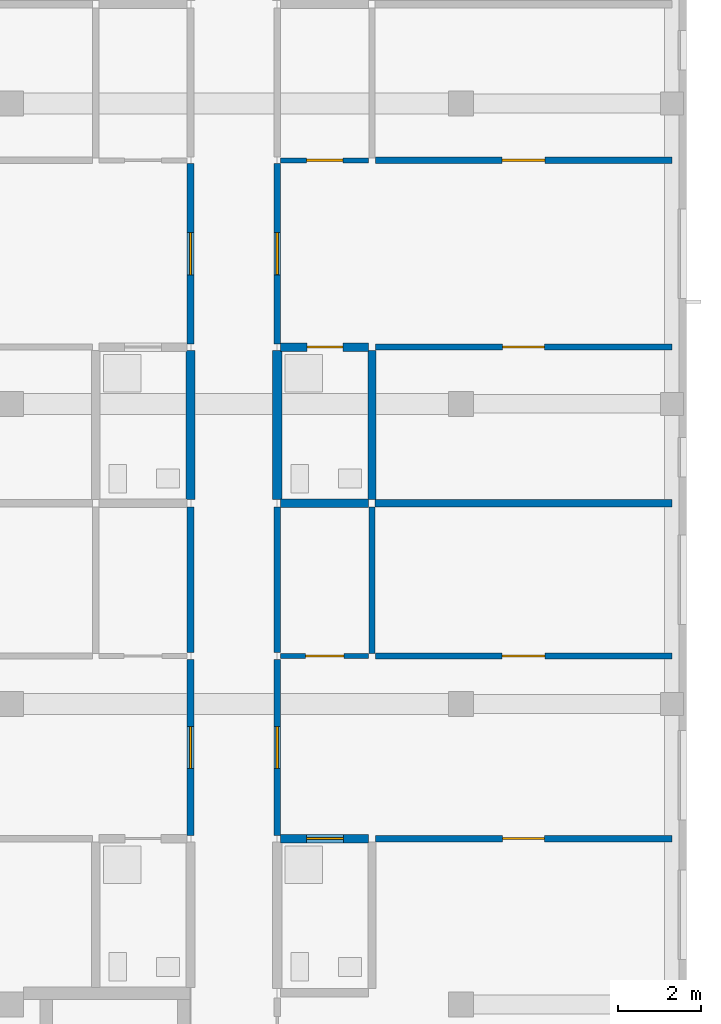
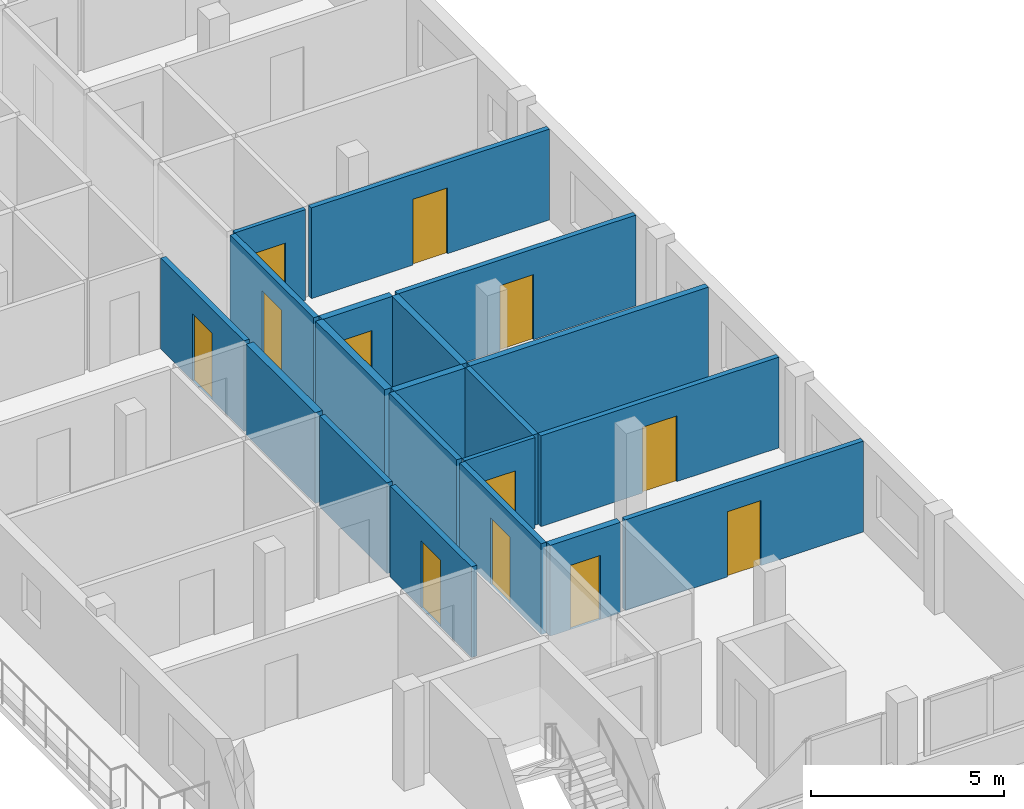
# One storey, part 24 of 41: 20 walls, 12 doors, 12 openings.
"""IFC4 building model written with IfcOpenShell, lengths in metres."""

from ifc_helpers import new_model, si_unit, derived_unit, direction, frame, frame_2d, origin, place, context, subcontext, project, spatial, rectangle, extrude, material, layer, layer_set, type_object, element, fill, save


model = new_model("IFC4")

# Units and contexts
model_context = context("Model", 3, precision=1e-05, world=origin(), true_north=direction((0.0, 1.0)))
body_context = subcontext(model_context, "Body", "Model", "MODEL_VIEW")
ifc_project = project(units=[si_unit("LENGTHUNIT", "METRE"), si_unit("AREAUNIT", "SQUARE_METRE"), si_unit("VOLUMEUNIT", "CUBIC_METRE"), si_unit("PLANEANGLEUNIT", "RADIAN"), si_unit("MASSUNIT", "GRAM", prefix="KILO"), derived_unit("THERMALTRANSMITTANCEUNIT", [(si_unit("MASSUNIT", "GRAM", prefix="KILO"), 1), (si_unit("TIMEUNIT", "SECOND"), -3), (si_unit("THERMODYNAMICTEMPERATUREUNIT", "KELVIN"), -1)])], contexts=[model_context])

# Site, building, storey
site_placement = place(None, origin())
site = spatial("IfcSite", under=ifc_project, at=site_placement, CompositionType="ELEMENT")
building_placement = place(site_placement, origin())
building = spatial("IfcBuilding", under=site, at=building_placement, Name="Ochrekiln Boulevard Commons", CompositionType="ELEMENT")
storey_placement = place(building_placement, frame((0.0, 0.0, 21.52490234375)))
storey = spatial("IfcBuildingStorey", under=building, at=storey_placement, Name="L06", CompositionType="ELEMENT", Elevation=21.52490234375)

# Wall, opening, door
ifc_material_1 = material(Name="Moisture-resistant cementitious tile backer wall")
ifc_layer_1 = layer(ifc_material_1, 0.199951171875)
ifc_layer_set_1 = layer_set([ifc_layer_1], Name="Moisture-resistant cementitious tile backer wall")
wall_type_1 = type_object("IfcWallType", Name="WL-PLM-200", PredefinedType="PLUMBINGWALL", material=ifc_layer_set_1)
wall_1_placement = place(storey_placement, frame((163.072998046875, 79.572998046875, 0.0), z_axis=(0.0, 0.0, 1.0), x_axis=(1.0, 0.0, 0.0)))
wall_1 = element("IfcWall", 1, at=wall_1_placement, inside=storey, type_object=wall_type_1, Name="L06 Interior Wall W-PW200", PredefinedType="PLUMBINGWALL", context=body_context, shape_type="SweptSolid", body=[
    extrude(rectangle(XDim=2.10693359375, YDim=0.199951171875, at=frame_2d((1.053466796875, 0.0))), origin(), (0.0, 0.0, 1.0), 2.8701171875),
])
opening_1_placement = place(wall_1_placement, frame((0.612060546875, 0.0, 0.0)))
opening_1 = element("IfcOpeningElement", 2, at=opening_1_placement, cuts=wall_1, Name="Opening D-L06-832", PredefinedType="OPENING", context=body_context, shape_type="SweptSolid", body=[
    extrude(rectangle(XDim=0.889892578125, YDim=2.030029296875, at=frame_2d((0.44482421875, 1.01513671875))), frame((0.0, 0.10986328125, 0.0), z_axis=(0.0, -1.0, 0.0), x_axis=(1.0, 0.0, 0.0)), (0.0, 0.0, 1.0), 0.219970703125),
])
ifc_material_2 = material(Name="Solid core architectural oak door leaf")
door_type_1 = type_object("IfcDoorType", Name="DR-INT-BTH-089", OperationType="NOTDEFINED", PredefinedType="DOOR", material=ifc_material_2)
door_1_placement = place(opening_1_placement, frame((0.889892578125, 0.0, 0.0), z_axis=(0.0, 0.0, 1.0), x_axis=(-1.0, 0.0, 0.0)))
door_1 = element("IfcDoor", 3, at=door_1_placement, inside=storey, type_object=door_type_1, Name="L06 Interior Door to Apartment Bathroom", OperationType="SINGLE_SWING_RIGHT", OverallHeight=2.030029296875, OverallWidth=0.889892578125, PredefinedType="DOOR", context=body_context, shape_type="SweptSolid", body=[
    extrude(rectangle(XDim=0.889892578125, YDim=2.030029296875, at=frame_2d((0.44482421875, 1.01513671875))), frame((0.0, 0.02490234375, 0.0), z_axis=(0.0, -1.0, 0.0), x_axis=(1.0, 0.0, 0.0)), (0.0, 0.0, 1.0), 0.050048828125),
])
fill(opening_1, door_1)

# Wall
wall_2_placement = place(storey_placement, frame((163.072998046875, 87.615966796875, 0.0), z_axis=(0.0, 0.0, 1.0), x_axis=(1.0, 0.0, 0.0)))
element("IfcWall", 4, at=wall_2_placement, inside=storey, type_object=wall_type_1, Name="L06 Interior Wall W-PW200", PredefinedType="PLUMBINGWALL", context=body_context, shape_type="SweptSolid", body=[
    extrude(rectangle(XDim=2.10693359375, YDim=0.199951171875, at=frame_2d((1.053466796875, 0.0))), origin(), (0.0, 0.0, 1.0), 2.8701171875),
])

# Wall, opening, door
wall_3_placement = place(storey_placement, frame((163.072998046875, 91.360107421875, 0.0), z_axis=(0.0, 0.0, 1.0), x_axis=(1.0, 0.0, 0.0)))
wall_3 = element("IfcWall", 5, at=wall_3_placement, inside=storey, type_object=wall_type_1, Name="L06 Interior Wall W-PW200", PredefinedType="PLUMBINGWALL", context=body_context, shape_type="SweptSolid", body=[
    extrude(rectangle(XDim=2.10693359375, YDim=0.199951171875, at=frame_2d((1.053466796875, 0.0))), origin(), (0.0, 0.0, 1.0), 2.8701171875),
])
opening_2_placement = place(wall_3_placement, frame((0.626953125, 0.0, 0.0)))
opening_2 = element("IfcOpeningElement", 6, at=opening_2_placement, cuts=wall_3, Name="Opening D-L06-836", PredefinedType="OPENING", context=body_context, shape_type="SweptSolid", body=[
    extrude(rectangle(XDim=0.860107421875, YDim=2.0, at=frame_2d((0.43017578125, 1.0))), frame((0.0, 0.10986328125, 0.0), z_axis=(0.0, -1.0, 0.0), x_axis=(1.0, 0.0, 0.0)), (0.0, 0.0, 1.0), 0.219970703125),
])
door_type_2 = type_object("IfcDoorType", Name="DR-INT-BTH-086", OperationType="NOTDEFINED", PredefinedType="DOOR", material=ifc_material_2)
door_2_placement = place(opening_2_placement, frame((0.860107421875, 0.0, 0.0), z_axis=(0.0, 0.0, 1.0), x_axis=(-1.0, 0.0, 0.0)))
door_2 = element("IfcDoor", 7, at=door_2_placement, inside=storey, type_object=door_type_2, Name="L06 Interior Door to Apartment Bathroom", OperationType="SINGLE_SWING_RIGHT", OverallHeight=2.0, OverallWidth=0.860107421875, PredefinedType="DOOR", context=body_context, shape_type="SweptSolid", body=[
    extrude(rectangle(XDim=0.860107421875, YDim=2.0, at=frame_2d((0.43017578125, 1.0))), frame((0.0, 0.02490234375, 0.0), z_axis=(0.0, -1.0, 0.0), x_axis=(1.0, 0.0, 0.0)), (0.0, 0.0, 1.0), 0.050048828125),
])
fill(opening_2, door_2)

# Walls
wall_4_placement = place(storey_placement, frame((165.260009765625, 87.7060546875, 0.0), z_axis=(0.0, 0.0, 1.0), x_axis=(0.0, 1.0, 0.0)))
element("IfcWall", 8, at=wall_4_placement, inside=storey, type_object=wall_type_1, Name="L06 Interior Wall W-PW200", PredefinedType="PLUMBINGWALL", context=body_context, shape_type="SweptSolid", body=[
    extrude(rectangle(XDim=3.573974609375, YDim=0.199951171875, at=frame_2d((1.787109375, 0.0))), origin(), (0.0, 0.0, 1.0), 2.8701171875),
])
ifc_layer_2 = layer(ifc_material_1, 0.219970703125)
ifc_layer_set_2 = layer_set([ifc_layer_2], Name="Moisture-resistant cementitious tile backer wall")
wall_type_2 = type_object("IfcWallType", Name="WL-PLM-220", PredefinedType="PLUMBINGWALL", material=ifc_layer_set_2)
for number, where, z_axis, x_axis, name in (
    (9, (160.909912109375, 87.7060546875, 0.0), (0.0, 0.0, 1.0), (0.0, 1.0, 0.0), "L06 Interior Wall W-PW220"),
    (10, (162.989990234375, 87.7060546875, 0.0), (0.0, 0.0, 1.0), (0.0, 1.0, 0.0), "L06 Interior Wall W-PW220"),
):
    element("IfcWall", number, at=place(storey_placement, frame(where, z_axis=z_axis, x_axis=x_axis)), inside=storey, type_object=wall_type_2, Name=name, PredefinedType="PLUMBINGWALL", context=body_context, shape_type="SweptSolid", body=[
        extrude(rectangle(XDim=3.573974609375, YDim=0.219970703125, at=frame_2d((1.787109375, 0.0))), origin(), (0.0, 0.0, 1.0), 2.8701171875),
    ])

# Wall, opening, door
ifc_material_3 = material(Name="Fire-rated Type X gypsum board on steel studs", Category="steel")
ifc_layer_3 = layer(ifc_material_3, 0.1650390625)
ifc_layer_set_3 = layer_set([ifc_layer_3], Name="Fire-rated Type X gypsum board on steel studs")
wall_type_3 = type_object("IfcWallType", Name="WL-PT-CORR-165", PredefinedType="PARTITIONING", material=ifc_layer_set_3)
wall_5_placement = place(storey_placement, frame((160.909912109375, 79.653076171875, 0.0), z_axis=(0.0, 0.0, 1.0), x_axis=(0.0, 1.0, 0.0)))
wall_5 = element("IfcWall", 11, at=wall_5_placement, inside=storey, type_object=wall_type_3, Name="L06 Interior Wall W-PC165", PredefinedType="PARTITIONING", context=body_context, shape_type="SweptSolid", body=[
    extrude(rectangle(XDim=4.219970703125, YDim=0.1650390625, at=frame_2d((2.10986328125, 0.0))), origin(), (0.0, 0.0, 1.0), 2.8701171875),
])
opening_3_placement = place(wall_5_placement, frame((1.60498046875, 0.0, 0.0)))
opening_3 = element("IfcOpeningElement", 12, at=opening_3_placement, cuts=wall_5, Name="Opening D-L06-814", PredefinedType="OPENING", context=body_context, shape_type="SweptSolid", body=[
    extrude(rectangle(XDim=1.010009765625, YDim=2.110107421875, at=frame_2d((0.5048828125, 1.05517578125))), frame((0.0, 0.092529296875, 0.0), z_axis=(0.0, -1.0, 0.0), x_axis=(1.0, 0.0, 0.0)), (0.0, 0.0, 1.0), 0.18505859375),
])
door_type_3 = type_object("IfcDoorType", Name="DR-INT-APT-101", OperationType="NOTDEFINED", PredefinedType="DOOR", material=ifc_material_2)
door_3_placement = place(opening_3_placement, origin())
door_3 = element("IfcDoor", 13, at=door_3_placement, inside=storey, type_object=door_type_3, Name="L06 Interior Door to Two-Bedroom Apartment Living Room", OperationType="SINGLE_SWING_RIGHT", OverallHeight=2.110107421875, OverallWidth=1.010009765625, PredefinedType="DOOR", context=body_context, shape_type="SweptSolid", body=[
    extrude(rectangle(XDim=1.010009765625, YDim=2.110107421875, at=frame_2d((0.5048828125, 1.05517578125))), frame((0.0, 0.02490234375, 0.0), z_axis=(0.0, -1.0, 0.0), x_axis=(1.0, 0.0, 0.0)), (0.0, 0.0, 1.0), 0.050048828125),
])
fill(opening_3, door_3)

# Wall
wall_6_placement = place(storey_placement, frame((160.909912109375, 84.032958984375, 0.0), z_axis=(0.0, 0.0, 1.0), x_axis=(0.0, 1.0, 0.0)))
element("IfcWall", 14, at=wall_6_placement, inside=storey, type_object=wall_type_3, Name="L06 Interior Wall W-PC165", PredefinedType="PARTITIONING", context=body_context, shape_type="SweptSolid", body=[
    extrude(rectangle(XDim=3.492919921875, YDim=0.1650390625, at=frame_2d((1.74658203125, 0.0))), origin(), (0.0, 0.0, 1.0), 2.8701171875),
])

# Wall, opening, door
wall_7_placement = place(storey_placement, frame((160.909912109375, 91.43994140625, 0.0), z_axis=(0.0, 0.0, 1.0), x_axis=(0.0, 1.0, 0.0)))
wall_7 = element("IfcWall", 15, at=wall_7_placement, inside=storey, type_object=wall_type_3, Name="L06 Interior Wall W-PC165", PredefinedType="PARTITIONING", context=body_context, shape_type="SweptSolid", body=[
    extrude(rectangle(XDim=4.320068359375, YDim=0.1650390625, at=frame_2d((2.16015625, 0.0))), origin(), (0.0, 0.0, 1.0), 2.8701171875),
])
opening_4_placement = place(wall_7_placement, frame((1.655029296875, 0.0, 0.0)))
opening_4 = element("IfcOpeningElement", 16, at=opening_4_placement, cuts=wall_7, Name="Opening D-L06-815", PredefinedType="OPENING", context=body_context, shape_type="SweptSolid", body=[
    extrude(rectangle(XDim=1.010009765625, YDim=2.110107421875, at=frame_2d((0.5048828125, 1.05517578125))), frame((0.0, 0.092529296875, 0.0), z_axis=(0.0, -1.0, 0.0), x_axis=(1.0, 0.0, 0.0)), (0.0, 0.0, 1.0), 0.18505859375),
])
door_4_placement = place(opening_4_placement, origin())
door_4 = element("IfcDoor", 17, at=door_4_placement, inside=storey, type_object=door_type_3, Name="L06 Interior Door to Two-Bedroom Apartment Living Room", OperationType="SINGLE_SWING_LEFT", OverallHeight=2.110107421875, OverallWidth=1.010009765625, PredefinedType="DOOR", context=body_context, shape_type="SweptSolid", body=[
    extrude(rectangle(XDim=1.010009765625, YDim=2.110107421875, at=frame_2d((0.5048828125, 1.05517578125))), frame((0.0, 0.02490234375, 0.0), z_axis=(0.0, -1.0, 0.0), x_axis=(1.0, 0.0, 0.0)), (0.0, 0.0, 1.0), 0.050048828125),
])
fill(opening_4, door_4)

wall_8_placement = place(storey_placement, frame((162.989990234375, 79.653076171875, 0.0), z_axis=(0.0, 0.0, 1.0), x_axis=(0.0, 1.0, 0.0)))
wall_8 = element("IfcWall", 18, at=wall_8_placement, inside=storey, type_object=wall_type_3, Name="L06 Interior Wall W-PC165", PredefinedType="PARTITIONING", context=body_context, shape_type="SweptSolid", body=[
    extrude(rectangle(XDim=4.219970703125, YDim=0.1650390625, at=frame_2d((2.10986328125, 0.0))), origin(), (0.0, 0.0, 1.0), 2.8701171875),
])
opening_5_placement = place(wall_8_placement, frame((1.60498046875, 0.0, 0.0)))
opening_5 = element("IfcOpeningElement", 19, at=opening_5_placement, cuts=wall_8, Name="Opening D-L06-817", PredefinedType="OPENING", context=body_context, shape_type="SweptSolid", body=[
    extrude(rectangle(XDim=1.010009765625, YDim=2.110107421875, at=frame_2d((0.5048828125, 1.05517578125))), frame((0.0, 0.092529296875, 0.0), z_axis=(0.0, -1.0, 0.0), x_axis=(1.0, 0.0, 0.0)), (0.0, 0.0, 1.0), 0.18505859375),
])
door_5_placement = place(opening_5_placement, frame((1.010009765625, 0.0, 0.0), z_axis=(0.0, 0.0, 1.0), x_axis=(-1.0, 0.0, 0.0)))
door_5 = element("IfcDoor", 20, at=door_5_placement, inside=storey, type_object=door_type_3, Name="L06 Interior Door to Two-Bedroom Apartment Living Room", OperationType="SINGLE_SWING_LEFT", OverallHeight=2.110107421875, OverallWidth=1.010009765625, PredefinedType="DOOR", context=body_context, shape_type="SweptSolid", body=[
    extrude(rectangle(XDim=1.010009765625, YDim=2.110107421875, at=frame_2d((0.5048828125, 1.05517578125))), frame((0.0, 0.02490234375, 0.0), z_axis=(0.0, -1.0, 0.0), x_axis=(1.0, 0.0, 0.0)), (0.0, 0.0, 1.0), 0.050048828125),
])
fill(opening_5, door_5)

# Wall
wall_9_placement = place(storey_placement, frame((162.989990234375, 84.032958984375, 0.0), z_axis=(0.0, 0.0, 1.0), x_axis=(0.0, 1.0, 0.0)))
element("IfcWall", 21, at=wall_9_placement, inside=storey, type_object=wall_type_3, Name="L06 Interior Wall W-PC165", PredefinedType="PARTITIONING", context=body_context, shape_type="SweptSolid", body=[
    extrude(rectangle(XDim=3.492919921875, YDim=0.1650390625, at=frame_2d((1.74658203125, 0.0))), origin(), (0.0, 0.0, 1.0), 2.8701171875),
])

# Wall, opening, door
wall_10_placement = place(storey_placement, frame((162.989990234375, 91.43994140625, 0.0), z_axis=(0.0, 0.0, 1.0), x_axis=(0.0, 1.0, 0.0)))
wall_10 = element("IfcWall", 22, at=wall_10_placement, inside=storey, type_object=wall_type_3, Name="L06 Interior Wall W-PC165", PredefinedType="PARTITIONING", context=body_context, shape_type="SweptSolid", body=[
    extrude(rectangle(XDim=4.320068359375, YDim=0.1650390625, at=frame_2d((2.16015625, 0.0))), origin(), (0.0, 0.0, 1.0), 2.8701171875),
])
opening_6_placement = place(wall_10_placement, frame((1.655029296875, 0.0, 0.0)))
opening_6 = element("IfcOpeningElement", 23, at=opening_6_placement, cuts=wall_10, Name="Opening D-L06-818", PredefinedType="OPENING", context=body_context, shape_type="SweptSolid", body=[
    extrude(rectangle(XDim=1.010009765625, YDim=2.110107421875, at=frame_2d((0.5048828125, 1.05517578125))), frame((0.0, 0.092529296875, 0.0), z_axis=(0.0, -1.0, 0.0), x_axis=(1.0, 0.0, 0.0)), (0.0, 0.0, 1.0), 0.18505859375),
])
door_6_placement = place(opening_6_placement, frame((1.010009765625, 0.0, 0.0), z_axis=(0.0, 0.0, 1.0), x_axis=(-1.0, 0.0, 0.0)))
door_6 = element("IfcDoor", 24, at=door_6_placement, inside=storey, type_object=door_type_3, Name="L06 Interior Door to Two-Bedroom Apartment Living Room", OperationType="SINGLE_SWING_RIGHT", OverallHeight=2.110107421875, OverallWidth=1.010009765625, PredefinedType="DOOR", context=body_context, shape_type="SweptSolid", body=[
    extrude(rectangle(XDim=1.010009765625, YDim=2.110107421875, at=frame_2d((0.5048828125, 1.05517578125))), frame((0.0, 0.02490234375, 0.0), z_axis=(0.0, -1.0, 0.0), x_axis=(1.0, 0.0, 0.0)), (0.0, 0.0, 1.0), 0.050048828125),
])
fill(opening_6, door_6)

# Wall
ifc_layer_4 = layer(ifc_material_3, 0.179931640625)
ifc_layer_set_4 = layer_set([ifc_layer_4], Name="Fire-rated Type X gypsum board on steel studs")
wall_type_4 = type_object("IfcWallType", Name="WL-PT-DEM-180", PredefinedType="PARTITIONING", material=ifc_layer_set_4)
wall_11_placement = place(storey_placement, frame((165.3349609375, 87.615966796875, 0.0), z_axis=(0.0, 0.0, 1.0), x_axis=(1.0, 0.0, 0.0)))
element("IfcWall", 25, at=wall_11_placement, inside=storey, type_object=wall_type_4, Name="L06 Interior Wall W-PD180", PredefinedType="PARTITIONING", context=body_context, shape_type="SweptSolid", body=[
    extrude(rectangle(XDim=7.125, YDim=0.179931640625, at=frame_2d((3.5625, 0.0))), origin(), (0.0, 0.0, 1.0), 2.8701171875),
])

# Wall, opening, door
ifc_layer_5 = layer(ifc_material_3, 0.1201171875)
ifc_layer_set_5 = layer_set([ifc_layer_5], Name="Fire-rated Type X gypsum board on steel studs")
wall_type_5 = type_object("IfcWallType", Name="WL-PT-LGT-120", PredefinedType="PARTITIONING", material=ifc_layer_set_5)
wall_12_placement = place(storey_placement, frame((163.072998046875, 83.952880859375, 0.0), z_axis=(0.0, 0.0, 1.0), x_axis=(1.0, 0.0, 0.0)))
wall_12 = element("IfcWall", 26, at=wall_12_placement, inside=storey, type_object=wall_type_5, Name="L06 Interior Wall W-PL120", PredefinedType="PARTITIONING", context=body_context, shape_type="SweptSolid", body=[
    extrude(rectangle(XDim=2.10693359375, YDim=0.1201171875, at=frame_2d((1.053466796875, 0.0))), origin(), (0.0, 0.0, 1.0), 2.8701171875),
])
opening_7_placement = place(wall_12_placement, frame((0.596923828125, 0.0, 0.0)))
opening_7 = element("IfcOpeningElement", 27, at=opening_7_placement, cuts=wall_12, Name="Opening D-L06-833", PredefinedType="OPENING", context=body_context, shape_type="SweptSolid", body=[
    extrude(rectangle(XDim=0.919921875, YDim=2.02001953125, at=frame_2d((0.4599609375, 1.010009765625))), frame((0.0, 0.070068359375, 0.0), z_axis=(0.0, -1.0, 0.0), x_axis=(1.0, 0.0, 0.0)), (0.0, 0.0, 1.0), 0.14013671875),
])
door_type_4 = type_object("IfcDoorType", Name="DR-INT-KIT-092", OperationType="NOTDEFINED", PredefinedType="DOOR", material=ifc_material_2)
door_7_placement = place(opening_7_placement, origin())
door_7 = element("IfcDoor", 28, at=door_7_placement, inside=storey, type_object=door_type_4, Name="L06 Interior Door to Apartment Kitchen", OperationType="SINGLE_SWING_LEFT", OverallHeight=2.02001953125, OverallWidth=0.919921875, PredefinedType="DOOR", context=body_context, shape_type="SweptSolid", body=[
    extrude(rectangle(XDim=0.919921875, YDim=2.02001953125, at=frame_2d((0.4599609375, 1.010009765625))), frame((0.0, 0.02490234375, 0.0), z_axis=(0.0, -1.0, 0.0), x_axis=(1.0, 0.0, 0.0)), (0.0, 0.0, 1.0), 0.050048828125),
])
fill(opening_7, door_7)

wall_13_placement = place(storey_placement, frame((163.072998046875, 95.840087890625, 0.0), z_axis=(0.0, 0.0, 1.0), x_axis=(1.0, 0.0, 0.0)))
wall_13 = element("IfcWall", 29, at=wall_13_placement, inside=storey, type_object=wall_type_5, Name="L06 Interior Wall W-PL120", PredefinedType="PARTITIONING", context=body_context, shape_type="SweptSolid", body=[
    extrude(rectangle(XDim=2.10693359375, YDim=0.1201171875, at=frame_2d((1.053466796875, 0.0))), origin(), (0.0, 0.0, 1.0), 2.8701171875),
])
opening_8_placement = place(wall_13_placement, frame((0.616943359375, 0.0, 0.0)))
opening_8 = element("IfcOpeningElement", 30, at=opening_8_placement, cuts=wall_13, Name="Opening D-L06-837", PredefinedType="OPENING", context=body_context, shape_type="SweptSolid", body=[
    extrude(rectangle(XDim=0.8798828125, YDim=2.02001953125, at=frame_2d((0.43994140625, 1.010009765625))), frame((0.0, 0.070068359375, 0.0), z_axis=(0.0, -1.0, 0.0), x_axis=(1.0, 0.0, 0.0)), (0.0, 0.0, 1.0), 0.14013671875),
])
door_type_5 = type_object("IfcDoorType", Name="DR-INT-KIT-088", OperationType="NOTDEFINED", PredefinedType="DOOR", material=ifc_material_2)
door_8_placement = place(opening_8_placement, origin())
door_8 = element("IfcDoor", 31, at=door_8_placement, inside=storey, type_object=door_type_5, Name="L06 Interior Door to Apartment Kitchen", OperationType="SINGLE_SWING_LEFT", OverallHeight=2.02001953125, OverallWidth=0.8798828125, PredefinedType="DOOR", context=body_context, shape_type="SweptSolid", body=[
    extrude(rectangle(XDim=0.8798828125, YDim=2.02001953125, at=frame_2d((0.43994140625, 1.010009765625))), frame((0.0, 0.02490234375, 0.0), z_axis=(0.0, -1.0, 0.0), x_axis=(1.0, 0.0, 0.0)), (0.0, 0.0, 1.0), 0.050048828125),
])
fill(opening_8, door_8)

ifc_layer_6 = layer(ifc_material_3, 0.14990234375)
ifc_layer_set_6 = layer_set([ifc_layer_6], Name="Fire-rated Type X gypsum board on steel studs")
wall_type_6 = type_object("IfcWallType", Name="WL-PT-STD-150", PredefinedType="PARTITIONING", material=ifc_layer_set_6)
wall_14_placement = place(storey_placement, frame((165.340087890625, 79.572998046875, 0.0), z_axis=(0.0, 0.0, 1.0), x_axis=(1.0, 0.0, 0.0)))
wall_14 = element("IfcWall", 32, at=wall_14_placement, inside=storey, type_object=wall_type_6, Name="L06 Interior Wall W-PS150", PredefinedType="PARTITIONING", context=body_context, shape_type="SweptSolid", body=[
    extrude(rectangle(XDim=7.119873046875, YDim=0.14990234375, at=frame_2d((3.56005859375, 0.0))), origin(), (0.0, 0.0, 1.0), 2.8701171875),
])
opening_9_placement = place(wall_14_placement, frame((3.054931640625, 0.0, 0.0)))
opening_9 = element("IfcOpeningElement", 33, at=opening_9_placement, cuts=wall_14, Name="Opening D-L06-834", PredefinedType="OPENING", context=body_context, shape_type="SweptSolid", body=[
    extrude(rectangle(XDim=1.0, YDim=2.06005859375, at=frame_2d((0.5, 1.030029296875))), frame((0.0, 0.0849609375, 0.0), z_axis=(0.0, -1.0, 0.0), x_axis=(1.0, 0.0, 0.0)), (0.0, 0.0, 1.0), 0.169921875),
])
door_type_6 = type_object("IfcDoorType", Name="DR-INT-BED-100", OperationType="NOTDEFINED", PredefinedType="DOOR", material=ifc_material_2)
door_9_placement = place(opening_9_placement, frame((1.0, 0.0, 0.0), z_axis=(0.0, 0.0, 1.0), x_axis=(-1.0, 0.0, 0.0)))
door_9 = element("IfcDoor", 34, at=door_9_placement, inside=storey, type_object=door_type_6, Name="L06 Interior Door to Primary Apartment Bedroom", OperationType="SINGLE_SWING_RIGHT", OverallHeight=2.06005859375, OverallWidth=1.0, PredefinedType="DOOR", context=body_context, shape_type="SweptSolid", body=[
    extrude(rectangle(XDim=1.0, YDim=2.06005859375, at=frame_2d((0.5, 1.030029296875))), frame((0.0, 0.02490234375, 0.0), z_axis=(0.0, -1.0, 0.0), x_axis=(1.0, 0.0, 0.0)), (0.0, 0.0, 1.0), 0.050048828125),
])
fill(opening_9, door_9)

wall_15_placement = place(storey_placement, frame((165.340087890625, 83.952880859375, 0.0), z_axis=(0.0, 0.0, 1.0), x_axis=(1.0, 0.0, 0.0)))
wall_15 = element("IfcWall", 35, at=wall_15_placement, inside=storey, type_object=wall_type_6, Name="L06 Interior Wall W-PS150", PredefinedType="PARTITIONING", context=body_context, shape_type="SweptSolid", body=[
    extrude(rectangle(XDim=7.119873046875, YDim=0.14990234375, at=frame_2d((3.56005859375, 0.0))), origin(), (0.0, 0.0, 1.0), 2.8701171875),
])
opening_10_placement = place(wall_15_placement, frame((3.034912109375, 0.0, 0.0)))
opening_10 = element("IfcOpeningElement", 36, at=opening_10_placement, cuts=wall_15, Name="Opening D-L06-835", PredefinedType="OPENING", context=body_context, shape_type="SweptSolid", body=[
    extrude(rectangle(XDim=1.0400390625, YDim=2.080078125, at=frame_2d((0.52001953125, 1.0400390625))), frame((0.0, 0.0849609375, 0.0), z_axis=(0.0, -1.0, 0.0), x_axis=(1.0, 0.0, 0.0)), (0.0, 0.0, 1.0), 0.169921875),
])
door_type_7 = type_object("IfcDoorType", Name="DR-INT-BED-104", OperationType="NOTDEFINED", PredefinedType="DOOR", material=ifc_material_2)
door_10_placement = place(opening_10_placement, origin())
door_10 = element("IfcDoor", 37, at=door_10_placement, inside=storey, type_object=door_type_7, Name="L06 Interior Door to Secondary Apartment Bedroom", OperationType="SINGLE_SWING_LEFT", OverallHeight=2.080078125, OverallWidth=1.0400390625, PredefinedType="DOOR", context=body_context, shape_type="SweptSolid", body=[
    extrude(rectangle(XDim=1.0400390625, YDim=2.080078125, at=frame_2d((0.52001953125, 1.0400390625))), frame((0.0, 0.02490234375, 0.0), z_axis=(0.0, -1.0, 0.0), x_axis=(1.0, 0.0, 0.0)), (0.0, 0.0, 1.0), 0.050048828125),
])
fill(opening_10, door_10)

# Wall
wall_16_placement = place(storey_placement, frame((165.260009765625, 84.012939453125, 0.0), z_axis=(0.0, 0.0, 1.0), x_axis=(0.0, 1.0, 0.0)))
element("IfcWall", 38, at=wall_16_placement, inside=storey, type_object=wall_type_6, Name="L06 Interior Wall W-PS150", PredefinedType="PARTITIONING", context=body_context, shape_type="SweptSolid", body=[
    extrude(rectangle(XDim=3.512939453125, YDim=0.14990234375, at=frame_2d((1.75634765625, 0.0))), origin(), (0.0, 0.0, 1.0), 2.8701171875),
])

# Wall, opening, door
wall_17_placement = place(storey_placement, frame((165.340087890625, 91.360107421875, 0.0), z_axis=(0.0, 0.0, 1.0), x_axis=(1.0, 0.0, 0.0)))
wall_17 = element("IfcWall", 39, at=wall_17_placement, inside=storey, type_object=wall_type_6, Name="L06 Interior Wall W-PS150", PredefinedType="PARTITIONING", context=body_context, shape_type="SweptSolid", body=[
    extrude(rectangle(XDim=7.119873046875, YDim=0.14990234375, at=frame_2d((3.56005859375, 0.0))), origin(), (0.0, 0.0, 1.0), 2.8701171875),
])
opening_11_placement = place(wall_17_placement, frame((3.054931640625, 0.0, 0.0)))
opening_11 = element("IfcOpeningElement", 40, at=opening_11_placement, cuts=wall_17, Name="Opening D-L06-838", PredefinedType="OPENING", context=body_context, shape_type="SweptSolid", body=[
    extrude(rectangle(XDim=1.0, YDim=2.06005859375, at=frame_2d((0.5, 1.030029296875))), frame((0.0, 0.0849609375, 0.0), z_axis=(0.0, -1.0, 0.0), x_axis=(1.0, 0.0, 0.0)), (0.0, 0.0, 1.0), 0.169921875),
])
door_11_placement = place(opening_11_placement, frame((1.0, 0.0, 0.0), z_axis=(0.0, 0.0, 1.0), x_axis=(-1.0, 0.0, 0.0)))
door_11 = element("IfcDoor", 41, at=door_11_placement, inside=storey, type_object=door_type_6, Name="L06 Interior Door to Primary Apartment Bedroom", OperationType="SINGLE_SWING_RIGHT", OverallHeight=2.06005859375, OverallWidth=1.0, PredefinedType="DOOR", context=body_context, shape_type="SweptSolid", body=[
    extrude(rectangle(XDim=1.0, YDim=2.06005859375, at=frame_2d((0.5, 1.030029296875))), frame((0.0, 0.02490234375, 0.0), z_axis=(0.0, -1.0, 0.0), x_axis=(1.0, 0.0, 0.0)), (0.0, 0.0, 1.0), 0.050048828125),
])
fill(opening_11, door_11)

wall_18_placement = place(storey_placement, frame((165.340087890625, 95.840087890625, 0.0), z_axis=(0.0, 0.0, 1.0), x_axis=(1.0, 0.0, 0.0)))
wall_18 = element("IfcWall", 42, at=wall_18_placement, inside=storey, type_object=wall_type_6, Name="L06 Interior Wall W-PS150", PredefinedType="PARTITIONING", context=body_context, shape_type="SweptSolid", body=[
    extrude(rectangle(XDim=7.119873046875, YDim=0.14990234375, at=frame_2d((3.56005859375, 0.0))), origin(), (0.0, 0.0, 1.0), 2.8701171875),
])
opening_12_placement = place(wall_18_placement, frame((3.034912109375, 0.0, 0.0)))
opening_12 = element("IfcOpeningElement", 43, at=opening_12_placement, cuts=wall_18, Name="Opening D-L06-839", PredefinedType="OPENING", context=body_context, shape_type="SweptSolid", body=[
    extrude(rectangle(XDim=1.0400390625, YDim=2.080078125, at=frame_2d((0.52001953125, 1.0400390625))), frame((0.0, 0.0849609375, 0.0), z_axis=(0.0, -1.0, 0.0), x_axis=(1.0, 0.0, 0.0)), (0.0, 0.0, 1.0), 0.169921875),
])
door_12_placement = place(opening_12_placement, origin())
door_12 = element("IfcDoor", 44, at=door_12_placement, inside=storey, type_object=door_type_7, Name="L06 Interior Door to Secondary Apartment Bedroom", OperationType="SINGLE_SWING_LEFT", OverallHeight=2.080078125, OverallWidth=1.0400390625, PredefinedType="DOOR", context=body_context, shape_type="SweptSolid", body=[
    extrude(rectangle(XDim=1.0400390625, YDim=2.080078125, at=frame_2d((0.52001953125, 1.0400390625))), frame((0.0, 0.02490234375, 0.0), z_axis=(0.0, -1.0, 0.0), x_axis=(1.0, 0.0, 0.0)), (0.0, 0.0, 1.0), 0.050048828125),
])
fill(opening_12, door_12)

save(model, "model.ifc")
